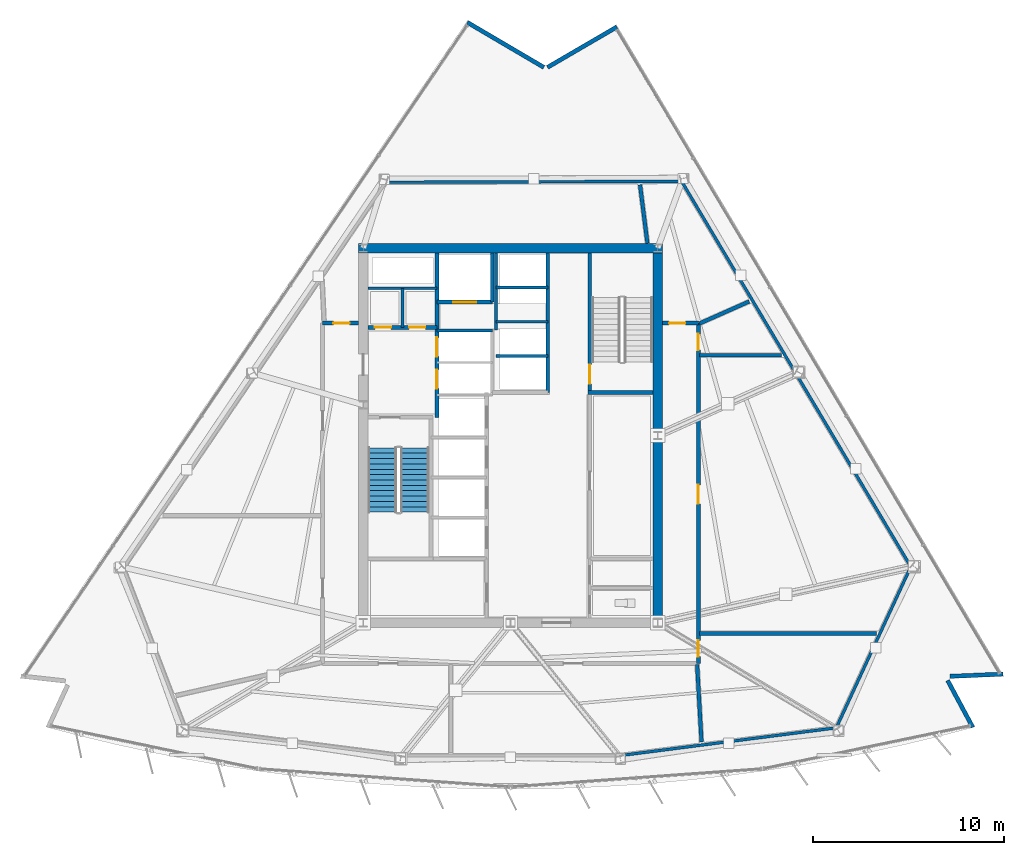
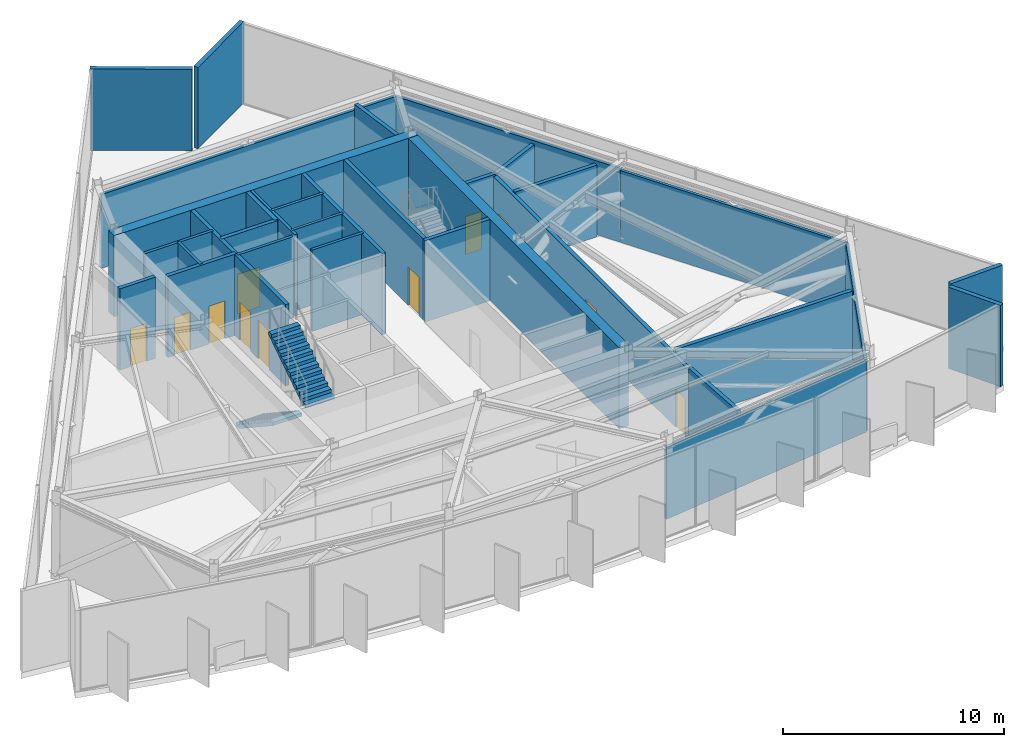
# One storey, part 9 of 14: 33 walls, 11 doors, 2 stair flights, 11 openings, 1 element without a shape of its own.
"""IFC4 building model written with IfcOpenShell, lengths in metres."""

from ifc_helpers import new_model, si_unit, direction, frame, frame_2d, origin, place, context, subcontext, project, spatial, polyline, rectangle, outline, extrude, material, layer, layer_set, type_object, element, fill, aggregate, save


model = new_model("IFC4")

# Units and contexts
model_context = context("Model", 3, precision=1e-05, world=origin(), true_north=direction((0.0, 1.0)))
body_context = subcontext(model_context, "Body", "Model", "MODEL_VIEW")
ifc_project = project(units=[si_unit("LENGTHUNIT", "METRE"), si_unit("AREAUNIT", "SQUARE_METRE"), si_unit("VOLUMEUNIT", "CUBIC_METRE"), si_unit("PLANEANGLEUNIT", "RADIAN"), si_unit("MASSUNIT", "GRAM", prefix="KILO")], contexts=[model_context])

# Site, building, storey
site_placement = place(None, origin())
site = spatial("IfcSite", under=ifc_project, at=site_placement, CompositionType="ELEMENT")
building_placement = place(site_placement, origin())
building = spatial("IfcBuilding", under=site, at=building_placement, Name="Savorim Split Tower", CompositionType="ELEMENT")
storey_placement = place(building_placement, frame((0.0, 0.0, 185.39990234375)))
storey = spatial("IfcBuildingStorey", under=building, at=storey_placement, Name="L49", CompositionType="ELEMENT", Elevation=185.39990234375)

# Walls
ifc_material_1 = material(Name="Concrete C60/75", Category="concrete")
ifc_layer_1 = layer(ifc_material_1, 0.5)
ifc_layer_set_1 = layer_set([ifc_layer_1], Name="WAL-COR-SH500")
wall_type_1 = type_object("IfcWallType", Name="WAL-COR-SH500", PredefinedType="SHEAR", material=ifc_layer_set_1)
wall_1_placement = place(storey_placement, frame((7.949951171875, 10.199951171875, 0.0), z_axis=(0.0, 0.0, 1.0), x_axis=(-1.0, 0.0, 0.0)))
element("IfcWall", 1, at=wall_1_placement, inside=storey, type_object=wall_type_1, Name="L49 Offset Core North Shear Wall", PredefinedType="SHEAR", context=body_context, shape_type="SweptSolid", body=[
    extrude(rectangle(XDim=15.89990234375, YDim=0.5, at=frame_2d((7.949951171875, 0.0))), origin(), (0.0, 0.0, 1.0), 4.5),
])
wall_2_placement = place(storey_placement, frame((7.699951171875, 9.949951171875, 0.0), z_axis=(0.0, 0.0, 1.0), x_axis=(0.0, -1.0, 0.0)))
element("IfcWall", 2, at=wall_2_placement, inside=storey, type_object=wall_type_1, Name="L49 Offset Core East Shear Wall", PredefinedType="SHEAR", context=body_context, shape_type="SweptSolid", body=[
    extrude(rectangle(XDim=19.099853515625, YDim=0.5, at=frame_2d((9.5498046875, 0.0))), origin(), (0.0, 0.0, 1.0), 4.5),
])
ifc_material_2 = material(Name="Precast concrete C40/50", Category="concrete")
ifc_layer_2 = layer(ifc_material_2, 0.219970703125)
ifc_layer_set_2 = layer_set([ifc_layer_2], Name="WAL-EXT-CRN220")
wall_type_2 = type_object("IfcWallType", Name="WAL-EXT-CRN220", PredefinedType="SOLIDWALL", material=ifc_layer_set_2)
wall_3_placement = place(storey_placement, frame((22.86767578125, -12.414794921875, 0.0), z_axis=(0.0, 0.0, 1.0), x_axis=(0.472845900162, -0.881145138272, 0.0)))
element("IfcWall", 3, at=wall_3_placement, inside=storey, type_object=wall_type_2, Name="L49 Notched Corner Facade Wall SE1", PredefinedType="SOLIDWALL", context=body_context, shape_type="SweptSolid", body=[
    extrude(rectangle(XDim=2.78759765625, YDim=0.219970703125, at=frame_2d((1.393798828125, 0.0))), origin(), (0.0, 0.0, 1.0), 4.5),
])
wall_4_placement = place(storey_placement, frame((25.77197265625, -12.082763671875, 0.0), z_axis=(0.0, 0.0, 1.0), x_axis=(-0.999095761456, -0.042516578425, 0.0)))
element("IfcWall", 4, at=wall_4_placement, inside=storey, type_object=wall_type_2, Name="L49 Notched Corner Facade Wall SE", PredefinedType="SOLIDWALL", context=body_context, shape_type="SweptSolid", body=[
    extrude(rectangle(XDim=2.784912109375, YDim=0.219970703125, at=frame_2d((1.392578125, 0.0))), origin(), (0.0, 0.0, 1.0), 4.5),
])
wall_5_placement = place(storey_placement, frame((1.935302734375, 19.656494140625, 0.0), z_axis=(0.0, 0.0, 1.0), x_axis=(0.863987356641, 0.503513502862, 0.0)))
element("IfcWall", 5, at=wall_5_placement, inside=storey, type_object=wall_type_2, Name="L49 Notched Corner Facade Wall NE1", PredefinedType="SOLIDWALL", context=body_context, shape_type="SweptSolid", body=[
    extrude(rectangle(XDim=4.203857421875, YDim=0.219970703125, at=frame_2d((2.10205078125, 0.0))), origin(), (0.0, 0.0, 1.0), 4.5),
])
wall_6_placement = place(storey_placement, frame((-2.25927734375, 22.01025390625, 0.0), z_axis=(0.0, 0.0, 1.0), x_axis=(0.862123324624, -0.506698503193, 0.0)))
element("IfcWall", 6, at=wall_6_placement, inside=storey, type_object=wall_type_2, Name="L49 Notched Corner Facade Wall N", PredefinedType="SOLIDWALL", context=body_context, shape_type="SweptSolid", body=[
    extrude(rectangle(XDim=4.644775390625, YDim=0.219970703125, at=frame_2d((2.322265625, 0.0))), origin(), (0.0, 0.0, 1.0), 4.5),
])

# Wall, openings, doors
ifc_material_3 = material(Name="Concrete C50/60", Category="concrete")
ifc_layer_3 = layer(ifc_material_3, 0.199951171875)
ifc_layer_set_3 = layer_set([ifc_layer_3], Name="WAL-INT-RC200")
wall_type_3 = type_object("IfcWallType", Name="WAL-INT-RC200", PredefinedType="SOLIDWALL", material=ifc_layer_set_3)
wall_7_placement = place(storey_placement, frame((-3.85009765625, 1.35009765625, 0.0), z_axis=(0.0, 0.0, 1.0), x_axis=(0.0, 1.0, 0.0)))
wall_7 = element("IfcWall", 7, at=wall_7_placement, inside=storey, type_object=wall_type_3, Name="L49 Partition W-L49-CR03", PredefinedType="SOLIDWALL", context=body_context, shape_type="SweptSolid", body=[
    extrude(rectangle(XDim=8.594970703125, YDim=0.199951171875, at=frame_2d((4.29736328125, 0.0))), origin(), (0.0, 0.0, 1.0), 4.5),
])
opening_1_placement = place(wall_7_placement, frame((1.5, 0.0, 0.0)))
opening_1 = element("IfcOpeningElement", 8, at=opening_1_placement, cuts=wall_7, Name="Opening LD-FFL", PredefinedType="OPENING", context=body_context, shape_type="SweptSolid", body=[
    extrude(rectangle(XDim=1.0, YDim=2.14990234375, at=frame_2d((0.5, 1.074951171875))), frame((0.0, 0.10986328125, 0.0), z_axis=(0.0, -1.0, 0.0), x_axis=(1.0, 0.0, 0.0)), (0.0, 0.0, 1.0), 0.219970703125),
])
opening_2_placement = place(wall_7_placement, frame((3.179931640625, 0.0, 0.0)))
opening_2 = element("IfcOpeningElement", 9, at=opening_2_placement, cuts=wall_7, Name="Opening LD-FFL", PredefinedType="OPENING", context=body_context, shape_type="SweptSolid", body=[
    extrude(rectangle(XDim=1.0, YDim=2.14990234375, at=frame_2d((0.5, 1.074951171875))), frame((0.0, 0.10986328125, 0.0), z_axis=(0.0, -1.0, 0.0), x_axis=(1.0, 0.0, 0.0)), (0.0, 0.0, 1.0), 0.219970703125),
])
ifc_material_4 = material(Name="Charcoal Anodised Aluminium", Category="aluminium")
door_type_1 = type_object("IfcDoorType", Name="DOR-SLD-LD1000", OperationType="NOTDEFINED", PredefinedType="DOOR", material=ifc_material_4)
door_1_placement = place(opening_1_placement, origin())
door_1 = element("IfcDoor", 10, at=door_1_placement, inside=storey, type_object=door_type_1, Name="DR-L49-LD-FFL1 - L49 Firefighting Lift FFL-1 Sliding Landing Door", OperationType="DOUBLE_DOOR_SLIDING", OverallHeight=2.14990234375, OverallWidth=1.0, PredefinedType="DOOR", context=body_context, shape_type="SweptSolid", body=[
    extrude(rectangle(XDim=1.0, YDim=2.14990234375, at=frame_2d((0.5, 1.074951171875))), frame((0.0, 0.02490234375, 0.0), z_axis=(0.0, -1.0, 0.0), x_axis=(1.0, 0.0, 0.0)), (0.0, 0.0, 1.0), 0.050048828125),
])
fill(opening_1, door_1)
door_2_placement = place(opening_2_placement, origin())
door_2 = element("IfcDoor", 11, at=door_2_placement, inside=storey, type_object=door_type_1, Name="DR-L49-LD-FFL2 - L49 Firefighting Lift FFL-2 Sliding Landing Door", OperationType="DOUBLE_DOOR_SLIDING", OverallHeight=2.14990234375, OverallWidth=1.0, PredefinedType="DOOR", context=body_context, shape_type="SweptSolid", body=[
    extrude(rectangle(XDim=1.0, YDim=2.14990234375, at=frame_2d((0.5, 1.074951171875))), frame((0.0, 0.02490234375, 0.0), z_axis=(0.0, -1.0, 0.0), x_axis=(1.0, 0.0, 0.0)), (0.0, 0.0, 1.0), 0.050048828125),
])
fill(opening_2, door_2)

wall_8_placement = place(storey_placement, frame((-7.445068359375, 6.050048828125, 0.0), z_axis=(0.0, 0.0, 1.0), x_axis=(1.0, 0.0, 0.0)))
wall_8 = element("IfcWall", 12, at=wall_8_placement, inside=storey, type_object=wall_type_3, Name="L49 Partition W-L49-CR04", PredefinedType="SOLIDWALL", context=body_context, shape_type="SweptSolid", body=[
    extrude(rectangle(XDim=3.594970703125, YDim=0.199951171875, at=frame_2d((1.79736328125, 0.0))), origin(), (0.0, 0.0, 1.0), 4.5),
])
opening_3_placement = place(wall_8_placement, frame((0.344970703125, 0.0, 0.0)))
opening_3 = element("IfcOpeningElement", 13, at=opening_3_placement, cuts=wall_8, Name="Opening DI-12", PredefinedType="OPENING", context=body_context, shape_type="SweptSolid", body=[
    extrude(rectangle(XDim=0.85009765625, YDim=2.10009765625, at=frame_2d((0.425048828125, 1.050048828125))), frame((0.0, 0.10986328125, 0.0), z_axis=(0.0, -1.0, 0.0), x_axis=(1.0, 0.0, 0.0)), (0.0, 0.0, 1.0), 0.219970703125),
])
opening_4_placement = place(wall_8_placement, frame((2.14501953125, 0.0, 0.0)))
opening_4 = element("IfcOpeningElement", 14, at=opening_4_placement, cuts=wall_8, Name="Opening DI-12", PredefinedType="OPENING", context=body_context, shape_type="SweptSolid", body=[
    extrude(rectangle(XDim=0.85009765625, YDim=2.10009765625, at=frame_2d((0.425048828125, 1.050048828125))), frame((0.0, 0.10986328125, 0.0), z_axis=(0.0, -1.0, 0.0), x_axis=(1.0, 0.0, 0.0)), (0.0, 0.0, 1.0), 0.219970703125),
])
ifc_material_5 = material(Name="Galvanised Painted Steel Balustrade", Category="steel")
door_type_2 = type_object("IfcDoorType", Name="DOR-RIS-850", OperationType="NOTDEFINED", PredefinedType="DOOR", material=ifc_material_5)
door_3_placement = place(opening_3_placement, origin())
door_3 = element("IfcDoor", 15, at=door_3_placement, inside=storey, type_object=door_type_2, Name="DR-L49-ELR - L49 Electrical Riser Access Door", OperationType="SINGLE_SWING_RIGHT", OverallHeight=2.10009765625, OverallWidth=0.85009765625, PredefinedType="DOOR", context=body_context, shape_type="SweptSolid", body=[
    extrude(rectangle(XDim=0.85009765625, YDim=2.10009765625, at=frame_2d((0.425048828125, 1.050048828125))), frame((0.0, 0.02490234375, 0.0), z_axis=(0.0, -1.0, 0.0), x_axis=(1.0, 0.0, 0.0)), (0.0, 0.0, 1.0), 0.050048828125),
])
fill(opening_3, door_3)
door_4_placement = place(opening_4_placement, origin())
door_4 = element("IfcDoor", 16, at=door_4_placement, inside=storey, type_object=door_type_2, Name="DR-L49-TLR - L49 Telecom Riser Access Door", OperationType="SINGLE_SWING_LEFT", OverallHeight=2.10009765625, OverallWidth=0.85009765625, PredefinedType="DOOR", context=body_context, shape_type="SweptSolid", body=[
    extrude(rectangle(XDim=0.85009765625, YDim=2.10009765625, at=frame_2d((0.425048828125, 1.050048828125))), frame((0.0, 0.02490234375, 0.0), z_axis=(0.0, -1.0, 0.0), x_axis=(1.0, 0.0, 0.0)), (0.0, 0.0, 1.0), 0.050048828125),
])
fill(opening_4, door_4)

# Wall, opening, door
wall_9_placement = place(storey_placement, frame((4.14990234375, 2.75, 0.0), z_axis=(0.0, 0.0, 1.0), x_axis=(0.0, 1.0, 0.0)))
wall_9 = element("IfcWall", 17, at=wall_9_placement, inside=storey, type_object=wall_type_3, Name="L49 Structural Shaft Wall W-L49-CR07", PredefinedType="SOLIDWALL", context=body_context, shape_type="SweptSolid", body=[
    extrude(rectangle(XDim=7.199951171875, YDim=0.199951171875, at=frame_2d((3.60009765625, 0.0))), origin(), (0.0, 0.0, 1.0), 4.5),
])
opening_5_placement = place(wall_9_placement, frame((0.35009765625, 0.0, 0.0)))
opening_5 = element("IfcOpeningElement", 18, at=opening_5_placement, cuts=wall_9, Name="Opening DI-04", PredefinedType="OPENING", context=body_context, shape_type="SweptSolid", body=[
    extrude(rectangle(XDim=1.0, YDim=2.14990234375, at=frame_2d((0.5, 1.074951171875))), frame((0.0, 0.10986328125, 0.0), z_axis=(0.0, -1.0, 0.0), x_axis=(1.0, 0.0, 0.0)), (0.0, 0.0, 1.0), 0.219970703125),
])
ifc_material_6 = material(Name="Timber Fire Door Leaf", Category="wood")
door_type_3 = type_object("IfcDoorType", Name="DOR-FIR-1000", OperationType="NOTDEFINED", PredefinedType="DOOR", material=ifc_material_6)
door_5_placement = place(opening_5_placement, origin())
door_5 = element("IfcDoor", 19, at=door_5_placement, inside=storey, type_object=door_type_3, Name="DR-L49-ST2 - L49 Stair ST-2 Enclosure Door", OperationType="SINGLE_SWING_RIGHT", OverallHeight=2.14990234375, OverallWidth=1.0, PredefinedType="DOOR", context=body_context, shape_type="SweptSolid", body=[
    extrude(rectangle(XDim=1.0, YDim=2.14990234375, at=frame_2d((0.5, 1.074951171875))), frame((0.0, 0.02490234375, 0.0), z_axis=(0.0, -1.0, 0.0), x_axis=(1.0, 0.0, 0.0)), (0.0, 0.0, 1.0), 0.050048828125),
])
fill(opening_5, door_5)

# Wall
wall_10_placement = place(storey_placement, frame((4.050048828125, 2.64990234375, 0.0), z_axis=(0.0, 0.0, 1.0), x_axis=(1.0, 0.0, 0.0)))
element("IfcWall", 20, at=wall_10_placement, inside=storey, type_object=wall_type_3, Name="L49 Structural Shaft Wall W-L49-CR08", PredefinedType="SOLIDWALL", context=body_context, shape_type="SweptSolid", body=[
    extrude(rectangle(XDim=3.39990234375, YDim=0.199951171875, at=frame_2d((1.699951171875, 0.0))), origin(), (0.0, 0.0, 1.0), 4.5),
])

# Wall, opening, door
wall_11_placement = place(storey_placement, frame((-3.85009765625, 7.3798828125, 0.0), z_axis=(0.0, 0.0, 1.0), x_axis=(1.0, 0.0, 0.0)))
wall_11 = element("IfcWall", 21, at=wall_11_placement, inside=storey, type_object=wall_type_3, Name="L49 Partition W-L49-SVLS", PredefinedType="SOLIDWALL", context=body_context, shape_type="SweptSolid", body=[
    extrude(rectangle(XDim=2.900146484375, YDim=0.199951171875, at=frame_2d((1.4501953125, 0.0))), origin(), (0.0, 0.0, 1.0), 4.5),
])
opening_6_placement = place(wall_11_placement, frame((0.85009765625, 0.0, 0.0)))
opening_6 = element("IfcOpeningElement", 22, at=opening_6_placement, cuts=wall_11, Name="Opening LD-SV", PredefinedType="OPENING", context=body_context, shape_type="SweptSolid", body=[
    extrude(rectangle(XDim=1.199951171875, YDim=2.199951171875, at=frame_2d((0.60009765625, 1.10009765625))), frame((0.0, 0.10986328125, 0.0), z_axis=(0.0, -1.0, 0.0), x_axis=(1.0, 0.0, 0.0)), (0.0, 0.0, 1.0), 0.219970703125),
])
door_type_4 = type_object("IfcDoorType", Name="DOR-SLD-SV1200", OperationType="NOTDEFINED", PredefinedType="DOOR", material=ifc_material_4)
door_6_placement = place(opening_6_placement, origin())
door_6 = element("IfcDoor", 23, at=door_6_placement, inside=storey, type_object=door_type_4, Name="DR-L49-LD-SVL1 - L49 Service Lift SVL-1 Sliding Landing Door", OperationType="DOUBLE_DOOR_SLIDING", OverallHeight=2.199951171875, OverallWidth=1.199951171875, PredefinedType="DOOR", context=body_context, shape_type="SweptSolid", body=[
    extrude(rectangle(XDim=1.199951171875, YDim=2.199951171875, at=frame_2d((0.60009765625, 1.10009765625))), frame((0.0, 0.02490234375, 0.0), z_axis=(0.0, -1.0, 0.0), x_axis=(1.0, 0.0, 0.0)), (0.0, 0.0, 1.0), 0.050048828125),
])
fill(opening_6, door_6)

# Walls
wall_12_placement = place(storey_placement, frame((-0.949951171875, 7.3798828125, 0.0), z_axis=(0.0, 0.0, 1.0), x_axis=(0.0, 1.0, 0.0)))
element("IfcWall", 24, at=wall_12_placement, inside=storey, type_object=wall_type_3, Name="L49 Partition W-L49-SVLE", PredefinedType="SOLIDWALL", context=body_context, shape_type="SweptSolid", body=[
    extrude(rectangle(XDim=2.565185546875, YDim=0.199951171875, at=frame_2d((1.28271484375, 0.0))), origin(), (0.0, 0.0, 1.0), 4.5),
])
wall_13_placement = place(storey_placement, frame((1.949951171875, 2.64990234375, 0.0), z_axis=(0.0, 0.0, 1.0), x_axis=(0.0, 1.0, 0.0)))
element("IfcWall", 25, at=wall_13_placement, inside=storey, type_object=wall_type_3, Name="L49 Partition W-L49-B3FRONT", PredefinedType="SOLIDWALL", context=body_context, shape_type="SweptSolid", body=[
    extrude(rectangle(XDim=7.295166015625, YDim=0.199951171875, at=frame_2d((3.6474609375, 0.0))), origin(), (0.0, 0.0, 1.0), 4.5),
])

# Wall, opening, door
wall_14_placement = place(storey_placement, frame((-9.830078125, 6.280029296875, 0.0), z_axis=(0.0, 0.0, 1.0), x_axis=(1.0, 0.0, 0.0)))
wall_14 = element("IfcWall", 26, at=wall_14_placement, inside=storey, type_object=wall_type_3, Name="L49 Partition W-L49-COR-WN1", PredefinedType="SOLIDWALL", context=body_context, shape_type="SweptSolid", body=[
    extrude(rectangle(XDim=1.880126953125, YDim=0.199951171875, at=frame_2d((0.93994140625, 0.0))), origin(), (0.0, 0.0, 1.0), 4.5),
])
opening_7_placement = place(wall_14_placement, frame((0.56494140625, 0.0, 0.0)))
opening_7 = element("IfcOpeningElement", 27, at=opening_7_placement, cuts=wall_14, Name="Opening DI-12", PredefinedType="OPENING", context=body_context, shape_type="SweptSolid", body=[
    extrude(rectangle(XDim=0.85009765625, YDim=2.10009765625, at=frame_2d((0.425048828125, 1.050048828125))), frame((0.0, 0.10986328125, 0.0), z_axis=(0.0, -1.0, 0.0), x_axis=(1.0, 0.0, 0.0)), (0.0, 0.0, 1.0), 0.219970703125),
])
door_7_placement = place(opening_7_placement, origin())
door_7 = element("IfcDoor", 28, at=door_7_placement, inside=storey, type_object=door_type_2, Name="DR-L49-RM09 - L49 Booster Pump Plant Room 1 Entry Door", OperationType="SINGLE_SWING_RIGHT", OverallHeight=2.10009765625, OverallWidth=0.85009765625, PredefinedType="DOOR", context=body_context, shape_type="SweptSolid", body=[
    extrude(rectangle(XDim=0.85009765625, YDim=2.10009765625, at=frame_2d((0.425048828125, 1.050048828125))), frame((0.0, 0.02490234375, 0.0), z_axis=(0.0, -1.0, 0.0), x_axis=(1.0, 0.0, 0.0)), (0.0, 0.0, 1.0), 0.050048828125),
])
fill(opening_7, door_7)

# Wall, openings, doors
wall_15_placement = place(storey_placement, frame((9.830078125, -11.530029296875, 0.0), z_axis=(0.0, 0.0, 1.0), x_axis=(0.0, 1.0, 0.0)))
wall_15 = element("IfcWall", 29, at=wall_15_placement, inside=storey, type_object=wall_type_3, Name="L49 Partition W-L49-COR-E1", PredefinedType="SOLIDWALL", context=body_context, shape_type="SweptSolid", body=[
    extrude(rectangle(XDim=17.81005859375, YDim=0.199951171875, at=frame_2d((8.905029296875, 0.0))), origin(), (0.0, 0.0, 1.0), 3.875),
])
opening_8_placement = place(wall_15_placement, frame((0.365234375, 0.0, 0.0)))
opening_8 = element("IfcOpeningElement", 30, at=opening_8_placement, cuts=wall_15, Name="Opening DI-12", PredefinedType="OPENING", context=body_context, shape_type="SweptSolid", body=[
    extrude(rectangle(XDim=0.85009765625, YDim=2.10009765625, at=frame_2d((0.425048828125, 1.050048828125))), frame((0.0, 0.10986328125, 0.0), z_axis=(0.0, -1.0, 0.0), x_axis=(1.0, 0.0, 0.0)), (0.0, 0.0, 1.0), 0.219970703125),
])
opening_9_placement = place(wall_15_placement, frame((8.35009765625, 0.0, 0.0)))
opening_9 = element("IfcOpeningElement", 31, at=opening_9_placement, cuts=wall_15, Name="Opening DI-04", PredefinedType="OPENING", context=body_context, shape_type="SweptSolid", body=[
    extrude(rectangle(XDim=1.0, YDim=2.14990234375, at=frame_2d((0.5, 1.074951171875))), frame((0.0, 0.10986328125, 0.0), z_axis=(0.0, -1.0, 0.0), x_axis=(1.0, 0.0, 0.0)), (0.0, 0.0, 1.0), 0.219970703125),
])
opening_10_placement = place(wall_15_placement, frame((16.389892578125, 0.0, 0.0)))
opening_10 = element("IfcOpeningElement", 32, at=opening_10_placement, cuts=wall_15, Name="Opening DI-12", PredefinedType="OPENING", context=body_context, shape_type="SweptSolid", body=[
    extrude(rectangle(XDim=0.85009765625, YDim=2.10009765625, at=frame_2d((0.425048828125, 1.050048828125))), frame((0.0, 0.10986328125, 0.0), z_axis=(0.0, -1.0, 0.0), x_axis=(1.0, 0.0, 0.0)), (0.0, 0.0, 1.0), 0.219970703125),
])
door_8_placement = place(opening_9_placement, origin())
door_8 = element("IfcDoor", 33, at=door_8_placement, inside=storey, type_object=door_type_3, Name="DR-L49-RM06 - L49 Refuge Area North-East Entry Door", OperationType="SINGLE_SWING_LEFT", OverallHeight=2.14990234375, OverallWidth=1.0, PredefinedType="DOOR", context=body_context, shape_type="SweptSolid", body=[
    extrude(rectangle(XDim=1.0, YDim=2.14990234375, at=frame_2d((0.5, 1.074951171875))), frame((0.0, 0.02490234375, 0.0), z_axis=(0.0, -1.0, 0.0), x_axis=(1.0, 0.0, 0.0)), (0.0, 0.0, 1.0), 0.050048828125),
])
fill(opening_9, door_8)
door_9_placement = place(opening_8_placement, origin())
door_9 = element("IfcDoor", 34, at=door_9_placement, inside=storey, type_object=door_type_2, Name="DR-L49-RM05 - L49 Refuge Area North Entry Door", OperationType="SINGLE_SWING_RIGHT", OverallHeight=2.10009765625, OverallWidth=0.85009765625, PredefinedType="DOOR", context=body_context, shape_type="SweptSolid", body=[
    extrude(rectangle(XDim=0.85009765625, YDim=2.10009765625, at=frame_2d((0.425048828125, 1.050048828125))), frame((0.0, 0.02490234375, 0.0), z_axis=(0.0, -1.0, 0.0), x_axis=(1.0, 0.0, 0.0)), (0.0, 0.0, 1.0), 0.050048828125),
])
fill(opening_8, door_9)
door_10_placement = place(opening_10_placement, origin())
door_10 = element("IfcDoor", 35, at=door_10_placement, inside=storey, type_object=door_type_2, Name="DR-L49-RM07 - L49 Refuge Area South-West Entry Door", OperationType="SINGLE_SWING_RIGHT", OverallHeight=2.10009765625, OverallWidth=0.85009765625, PredefinedType="DOOR", context=body_context, shape_type="SweptSolid", body=[
    extrude(rectangle(XDim=0.85009765625, YDim=2.10009765625, at=frame_2d((0.425048828125, 1.050048828125))), frame((0.0, 0.02490234375, 0.0), z_axis=(0.0, -1.0, 0.0), x_axis=(1.0, 0.0, 0.0)), (0.0, 0.0, 1.0), 0.050048828125),
])
fill(opening_10, door_10)

# Wall, opening, door
wall_16_placement = place(storey_placement, frame((7.949951171875, 6.280029296875, 0.0), z_axis=(0.0, 0.0, 1.0), x_axis=(1.0, 0.0, 0.0)))
wall_16 = element("IfcWall", 36, at=wall_16_placement, inside=storey, type_object=wall_type_3, Name="L49 Partition W-L49-COR-EN1", PredefinedType="SOLIDWALL", context=body_context, shape_type="SweptSolid", body=[
    extrude(rectangle(XDim=1.880126953125, YDim=0.199951171875, at=frame_2d((0.93994140625, 0.0))), origin(), (0.0, 0.0, 1.0), 3.97509765625),
])
opening_11_placement = place(wall_16_placement, frame((0.35498046875, 0.0, 0.0)))
opening_11 = element("IfcOpeningElement", 37, at=opening_11_placement, cuts=wall_16, Name="Opening DI-12", PredefinedType="OPENING", context=body_context, shape_type="SweptSolid", body=[
    extrude(rectangle(XDim=0.85009765625, YDim=2.10009765625, at=frame_2d((0.425048828125, 1.050048828125))), frame((0.0, 0.10986328125, 0.0), z_axis=(0.0, -1.0, 0.0), x_axis=(1.0, 0.0, 0.0)), (0.0, 0.0, 1.0), 0.219970703125),
])
door_11_placement = place(opening_11_placement, origin())
door_11 = element("IfcDoor", 38, at=door_11_placement, inside=storey, type_object=door_type_2, Name="DR-L49-RM08 - L49 Refuge Area Central Entry Door", OperationType="SINGLE_SWING_LEFT", OverallHeight=2.10009765625, OverallWidth=0.85009765625, PredefinedType="DOOR", context=body_context, shape_type="SweptSolid", body=[
    extrude(rectangle(XDim=0.85009765625, YDim=2.10009765625, at=frame_2d((0.425048828125, 1.050048828125))), frame((0.0, 0.02490234375, 0.0), z_axis=(0.0, -1.0, 0.0), x_axis=(1.0, 0.0, 0.0)), (0.0, 0.0, 1.0), 0.050048828125),
])
fill(opening_11, door_11)

# Walls
wall_17_placement = place(storey_placement, frame((9.763671875, -11.589111328125, 0.0), z_axis=(0.0, 0.0, 1.0), x_axis=(0.056977596974, -0.998375457152, 0.0)))
element("IfcWall", 39, at=wall_17_placement, inside=storey, type_object=wall_type_3, Name="L49 Partition W-L49-PLW06", PredefinedType="SOLIDWALL", context=body_context, shape_type="SweptSolid", body=[
    extrude(rectangle(XDim=4.044921875, YDim=0.199951171875, at=frame_2d((2.0224609375, 0.0))), origin(), (0.0, 0.0, 1.0), 4.085205078125),
])
wall_18_placement = place(storey_placement, frame((9.889892578125, -9.952880859375, 0.0), z_axis=(0.0, 0.0, 1.0), x_axis=(1.0, 0.0, 0.0)))
element("IfcWall", 40, at=wall_18_placement, inside=storey, type_object=wall_type_3, Name="L49 Partition W-L49-PLW09", PredefinedType="SOLIDWALL", context=body_context, shape_type="SweptSolid", body=[
    extrude(rectangle(XDim=9.25390625, YDim=0.199951171875, at=frame_2d((4.626953125, 0.0))), origin(), (0.0, 0.0, 1.0), 4.085205078125),
])
wall_19_placement = place(storey_placement, frame((9.889892578125, 4.593017578125, 0.0), z_axis=(0.0, 0.0, 1.0), x_axis=(1.0, 0.0, 0.0)))
element("IfcWall", 41, at=wall_19_placement, inside=storey, type_object=wall_type_3, Name="L49 Partition W-L49-PLW10", PredefinedType="SOLIDWALL", context=body_context, shape_type="SweptSolid", body=[
    extrude(rectangle(XDim=4.279052734375, YDim=0.199951171875, at=frame_2d((2.1396484375, 0.0))), origin(), (0.0, 0.0, 1.0), 3.97509765625),
])
wall_20_placement = place(storey_placement, frame((9.879150390625, 6.25341796875, 0.0), z_axis=(0.0, 0.0, 1.0), x_axis=(0.914370618013, 0.404878219856, 0.0)))
element("IfcWall", 42, at=wall_20_placement, inside=storey, type_object=wall_type_3, Name="L49 Partition W-L49-PLW11", PredefinedType="SOLIDWALL", context=body_context, shape_type="SweptSolid", body=[
    extrude(rectangle(XDim=2.85888671875, YDim=0.199951171875, at=frame_2d((1.429443359375, 0.0))), origin(), (0.0, 0.0, 1.0), 3.97509765625),
])
wall_21_placement = place(storey_placement, frame((7.164794921875, 10.449951171875, 0.0), z_axis=(0.0, 0.0, 1.0), x_axis=(-0.125804652953, 0.992055033401, 0.0)))
element("IfcWall", 43, at=wall_21_placement, inside=storey, type_object=wall_type_3, Name="L49 Partition W-L49-PLW14", PredefinedType="SOLIDWALL", context=body_context, shape_type="SweptSolid", body=[
    extrude(rectangle(XDim=3.089599609375, YDim=0.199951171875, at=frame_2d((1.544921875, 0.0))), origin(), (0.0, 0.0, 1.0), 4.5),
])
ifc_material_7 = material(Name="Acoustic Gypsum Partition Board")
ifc_layer_4 = layer(ifc_material_7, 0.14990234375)
ifc_layer_set_4 = layer_set([ifc_layer_4], Name="WAL-PAR-150")
wall_type_4 = type_object("IfcWallType", Name="WAL-PAR-150", PredefinedType="PARTITIONING", material=ifc_layer_set_4)
wall_22_placement = place(storey_placement, frame((-7.445068359375, 8.10009765625, 0.0), z_axis=(0.0, 0.0, 1.0), x_axis=(1.0, 0.0, 0.0)))
element("IfcWall", 44, at=wall_22_placement, inside=storey, type_object=wall_type_4, Name="L49 Partition W-L49-CR05", PredefinedType="PARTITIONING", context=body_context, shape_type="SweptSolid", body=[
    extrude(rectangle(XDim=3.594970703125, YDim=0.14990234375, at=frame_2d((1.79736328125, 0.0))), origin(), (0.0, 0.0, 1.0), 4.5),
])
wall_23_placement = place(storey_placement, frame((-5.64990234375, 6.050048828125, 0.0), z_axis=(0.0, 0.0, 1.0), x_axis=(0.0, 1.0, 0.0)))
element("IfcWall", 45, at=wall_23_placement, inside=storey, type_object=wall_type_4, Name="L49 Partition W-L49-CR06", PredefinedType="PARTITIONING", context=body_context, shape_type="SweptSolid", body=[
    extrude(rectangle(XDim=2.050048828125, YDim=0.14990234375, at=frame_2d((1.02490234375, 0.0))), origin(), (0.0, 0.0, 1.0), 4.5),
])
wall_24_placement = place(storey_placement, frame((-3.85009765625, 5.89990234375, 0.0), z_axis=(0.0, 0.0, 1.0), x_axis=(1.0, 0.0, 0.0)))
element("IfcWall", 46, at=wall_24_placement, inside=storey, type_object=wall_type_4, Name="L49 Partition W-L49-FFLD2", PredefinedType="PARTITIONING", context=body_context, shape_type="SweptSolid", body=[
    extrude(rectangle(XDim=2.900146484375, YDim=0.14990234375, at=frame_2d((1.4501953125, 0.0))), origin(), (0.0, 0.0, 1.0), 4.5),
])
wall_25_placement = place(storey_placement, frame((-0.75, 5.919921875, 0.0), z_axis=(0.0, 0.0, 1.0), x_axis=(0.0, 1.0, 0.0)))
element("IfcWall", 47, at=wall_25_placement, inside=storey, type_object=wall_type_4, Name="L49 Partition W-L49-B3WEST", PredefinedType="PARTITIONING", context=body_context, shape_type="SweptSolid", body=[
    extrude(rectangle(XDim=4.025146484375, YDim=0.14990234375, at=frame_2d((2.0126953125, 0.0))), origin(), (0.0, 0.0, 1.0), 4.5),
])
for number, where, z_axis, x_axis, name in (
    (48, (-0.75, 4.550048828125, 0.0), (0.0, 0.0, 1.0), (1.0, 0.0, 0.0), "L49 Partition W-L49-B3DIV1"),
    (49, (-0.75, 6.35009765625, 0.0), (0.0, 0.0, 1.0), (1.0, 0.0, 0.0), "L49 Partition W-L49-B3DIV2"),
    (50, (-0.75, 8.14990234375, 0.0), (0.0, 0.0, 1.0), (1.0, 0.0, 0.0), "L49 Partition W-L49-B3DIV3"),
):
    element("IfcWall", number, at=place(storey_placement, frame(where, z_axis=z_axis, x_axis=x_axis)), inside=storey, type_object=wall_type_4, Name=name, PredefinedType="PARTITIONING", context=body_context, shape_type="SweptSolid", body=[
        extrude(rectangle(XDim=2.699951171875, YDim=0.14990234375, at=frame_2d((1.35009765625, 0.0))), origin(), (0.0, 0.0, 1.0), 4.5),
    ])
wall_26_placement = place(storey_placement, frame((-6.52880859375, 13.6435546875, 0.0), z_axis=(0.0, 0.0, 1.0), x_axis=(0.999995127533, 0.003121683751, 0.0)))
element("IfcWall", 51, at=wall_26_placement, inside=storey, type_object=wall_type_4, Name="L49 Partition W-L49-PBLT03", PredefinedType="PARTITIONING", context=body_context, shape_type="SweptSolid", body=[
    extrude(rectangle(XDim=15.485107421875, YDim=0.14990234375, at=frame_2d((7.74267578125, 0.0))), origin(), (0.0, 0.0, 1.0), 4.085205078125),
])
wall_27_placement = place(storey_placement, frame((8.956298828125, 13.69189453125, 0.0), z_axis=(0.0, 0.0, 1.0), x_axis=(0.511092441112, -0.859525751004, 0.0)))
element("IfcWall", 52, at=wall_27_placement, inside=storey, type_object=wall_type_4, Name="L49 Partition W-L49-PBLT04", PredefinedType="PARTITIONING", context=body_context, shape_type="SweptSolid", body=[
    extrude(rectangle(XDim=11.723876953125, YDim=0.14990234375, at=frame_2d((5.86181640625, 0.0))), origin(), (0.0, 0.0, 1.0), 4.085205078125),
])
wall_28_placement = place(storey_placement, frame((14.9482421875, 3.614990234375, 0.0), z_axis=(0.0, 0.0, 1.0), x_axis=(0.511088275571, -0.85952822791, 0.0)))
element("IfcWall", 53, at=wall_28_placement, inside=storey, type_object=wall_type_4, Name="L49 Partition W-L49-PBLT05", PredefinedType="PARTITIONING", context=body_context, shape_type="SweptSolid", body=[
    extrude(rectangle(XDim=11.73046875, YDim=0.14990234375, at=frame_2d((5.865234375, 0.0))), origin(), (0.0, 0.0, 1.0), 3.97509765625),
])
wall_29_placement = place(storey_placement, frame((20.943603515625, -6.4677734375, 0.0), z_axis=(0.0, 0.0, 1.0), x_axis=(-0.419911813546, -0.907564911642, 0.0)))
element("IfcWall", 54, at=wall_29_placement, inside=storey, type_object=wall_type_4, Name="L49 Partition W-L49-PBLT06", PredefinedType="PARTITIONING", context=body_context, shape_type="SweptSolid", body=[
    extrude(rectangle(XDim=9.283935546875, YDim=0.14990234375, at=frame_2d((4.64208984375, 0.0))), origin(), (0.0, 0.0, 1.0), 3.97509765625),
])
wall_30_placement = place(storey_placement, frame((17.045166015625, -14.8935546875, 0.0), z_axis=(0.0, 0.0, 1.0), x_axis=(-0.991858166287, -0.127347469429, 0.0)))
element("IfcWall", 55, at=wall_30_placement, inside=storey, type_object=wall_type_4, Name="L49 Partition W-L49-PBLT07", PredefinedType="PARTITIONING", context=body_context, shape_type="SweptSolid", body=[
    extrude(rectangle(XDim=11.399169921875, YDim=0.14990234375, at=frame_2d((5.69970703125, 0.0))), origin(), (0.0, 0.0, 1.0), 3.97509765625),
])

# Stair, stair flights
stair_type = type_object("IfcStairType", Name="STR-DOG-4800", PredefinedType="HALF_TURN_STAIR", material=ifc_material_3)
stair_placement = place(storey_placement, origin())
stair = element("IfcStair", 56, at=stair_placement, inside=storey, type_object=stair_type, Name="L49 Core Protected Exit Stair ST-1", PredefinedType="HALF_TURN_STAIR")
stair_flight_type = type_object("IfcStairFlightType", Name="SFL-DOG-4800", PredefinedType="STRAIGHT", material=ifc_material_3)
stair_flight_1_placement = place(storey_placement, frame((-6.699951171875, -0.25, 0.0), z_axis=(0.0, 0.0, 1.0), x_axis=(0.0, -1.0, 0.0)))
stair_flight_1 = element("IfcStairFlight", 57, at=stair_flight_1_placement, type_object=stair_flight_type, Name="ST-1 flight 1", NumberOfRisers=13, NumberOfTreads=12, PredefinedType="STRAIGHT", RiserHeight=0.184615385, TreadLength=0.28, context=body_context, shape_type="SweptSolid", body=[
    extrude(outline(polyline([(0.0, 0.0), (0.0, 0.1845703125), (0.280029296875, 0.1845703125), (0.280029296875, 0.369140625), (0.56005859375, 0.369140625), (0.56005859375, 0.553955078125), (0.840087890625, 0.553955078125), (0.840087890625, 0.738525390625), (1.1201171875, 0.738525390625), (1.1201171875, 0.923095703125), (1.39990234375, 0.923095703125), (1.39990234375, 1.107666015625), (1.679931640625, 1.107666015625), (1.679931640625, 1.292236328125), (1.9599609375, 1.292236328125), (1.9599609375, 1.476806640625), (2.239990234375, 1.476806640625), (2.239990234375, 1.66162109375), (2.52001953125, 1.66162109375), (2.52001953125, 1.84619140625), (2.800048828125, 1.84619140625), (2.800048828125, 2.03076171875), (3.080078125, 2.03076171875), (3.080078125, 2.21533203125), (3.360107421875, 2.21533203125), (3.360107421875, 2.39990234375), (3.360107421875, 2.035888671875), (0.272216796875, 0.0), (0.0, 0.0)])), frame((0.0, 0.75, 0.0), z_axis=(0.0, -1.0, 0.0), x_axis=(1.0, 0.0, 0.0)), (0.0, 0.0, 1.0), 1.5),
])
stair_flight_2_placement = place(storey_placement, frame((-5.0, -3.610107421875, 2.400146484375), z_axis=(0.0, 0.0, 1.0), x_axis=(0.0, 1.0, 0.0)))
stair_flight_2 = element("IfcStairFlight", 58, at=stair_flight_2_placement, type_object=stair_flight_type, Name="ST-1 flight 2", NumberOfRisers=13, NumberOfTreads=12, PredefinedType="STRAIGHT", RiserHeight=0.184615385, TreadLength=0.28, context=body_context, shape_type="SweptSolid", body=[
    extrude(outline(polyline([(0.0, 0.0), (0.0, 0.1845703125), (0.280029296875, 0.1845703125), (0.280029296875, 0.369140625), (0.56005859375, 0.369140625), (0.56005859375, 0.553955078125), (0.840087890625, 0.553955078125), (0.840087890625, 0.738525390625), (1.1201171875, 0.738525390625), (1.1201171875, 0.923095703125), (1.39990234375, 0.923095703125), (1.39990234375, 1.107666015625), (1.679931640625, 1.107666015625), (1.679931640625, 1.292236328125), (1.9599609375, 1.292236328125), (1.9599609375, 1.476806640625), (2.239990234375, 1.476806640625), (2.239990234375, 1.66162109375), (2.52001953125, 1.66162109375), (2.52001953125, 1.84619140625), (2.800048828125, 1.84619140625), (2.800048828125, 2.03076171875), (3.080078125, 2.03076171875), (3.080078125, 2.21533203125), (3.360107421875, 2.21533203125), (3.360107421875, 2.39990234375), (3.360107421875, 2.035888671875), (0.272216796875, 0.0), (0.0, 0.0)])), frame((0.0, 0.75, 0.0), z_axis=(0.0, -1.0, 0.0), x_axis=(1.0, 0.0, 0.0)), (0.0, 0.0, 1.0), 1.5),
])
aggregate(stair, [stair_flight_1, stair_flight_2])

save(model, "model.ifc")
